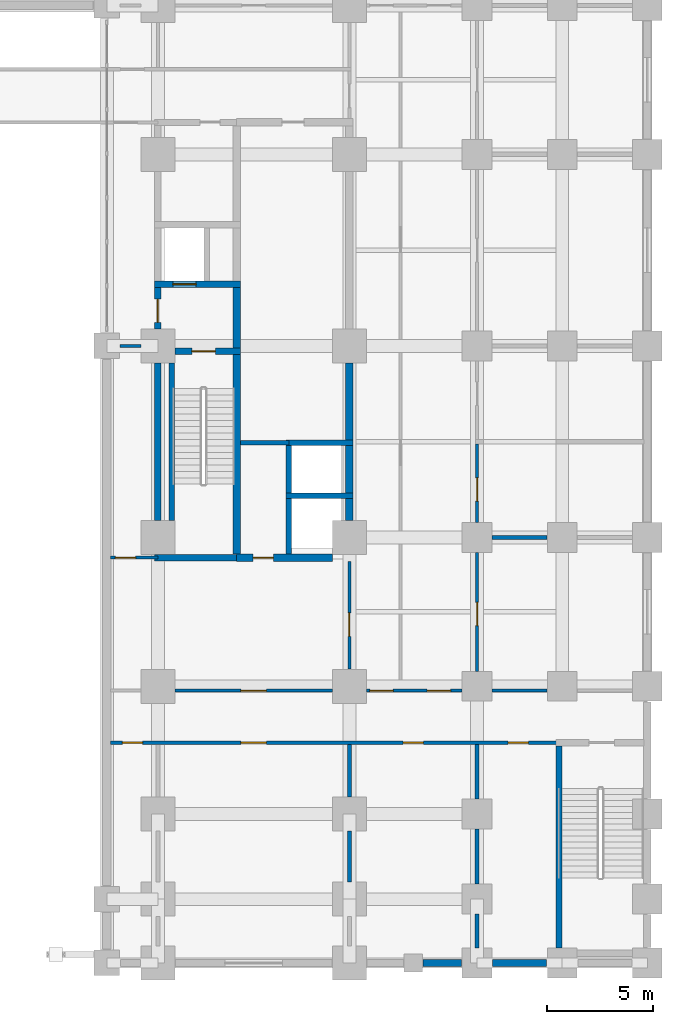
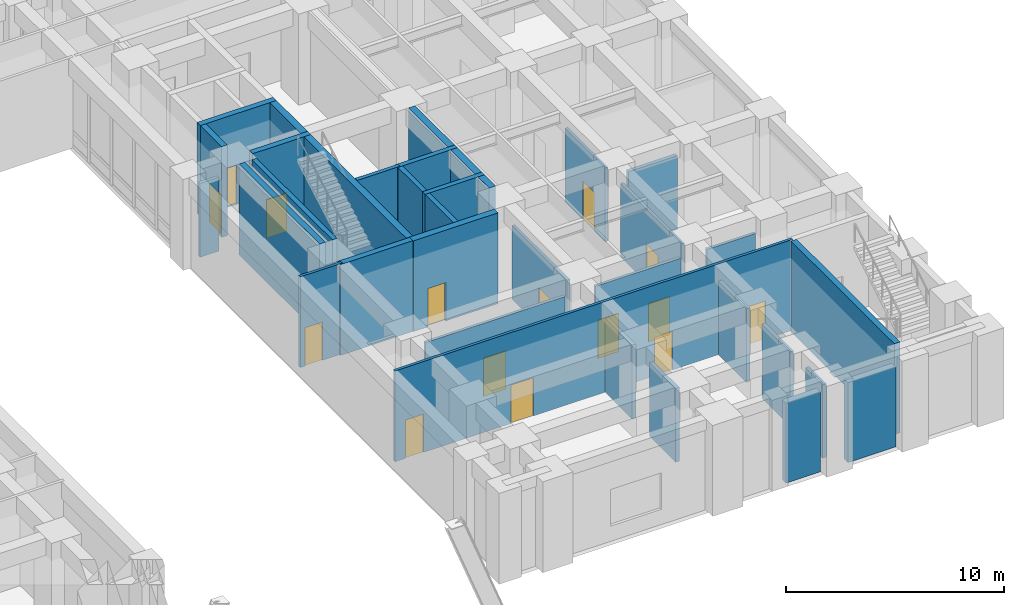
# One storey, part 12 of 23: 35 walls, 15 doors, 15 openings.
"""IFC4 building model written with IfcOpenShell, lengths in metres."""

from ifc_helpers import new_model, si_unit, direction, frame, frame_2d, origin, place, context, subcontext, project, spatial, rectangle, extrude, material, layer, layer_set, type_object, element, fill, save


model = new_model("IFC4")

# Units and contexts
model_context = context("Model", 3, precision=1e-05, world=origin(), true_north=direction((0.0, 1.0)))
body_context = subcontext(model_context, "Body", "Model", "MODEL_VIEW")
ifc_project = project(units=[si_unit("LENGTHUNIT", "METRE"), si_unit("AREAUNIT", "SQUARE_METRE"), si_unit("VOLUMEUNIT", "CUBIC_METRE"), si_unit("PLANEANGLEUNIT", "RADIAN"), si_unit("MASSUNIT", "GRAM", prefix="KILO")], contexts=[model_context])

# Site, building, storey
site_placement = place(None, origin())
site = spatial("IfcSite", under=ifc_project, at=site_placement, CompositionType="ELEMENT")
building_placement = place(site_placement, origin())
building = spatial("IfcBuilding", under=site, at=building_placement, Name="Zulmaris Gate Convention Tower", CompositionType="ELEMENT")
storey_placement = place(building_placement, frame((0.0, 0.0, 10.8798828125)))
storey = spatial("IfcBuildingStorey", under=building, at=storey_placement, Name="L02", CompositionType="ELEMENT", Elevation=10.8798828125)

# Walls
ifc_material_1 = material(Name="Concrete C50/60", Category="concrete")
ifc_layer_1 = layer(ifc_material_1, 0.25, Name="Concrete C50/60")
ifc_layer_set_1 = layer_set([ifc_layer_1], Name="Concrete C50/60")
wall_type_1 = type_object("IfcWallType", Name="CORE-250", PredefinedType="SOLIDWALL", material=ifc_layer_set_1)
for number, where, z_axis, x_axis, name in (
    (1, (17.02490234375, -7.050048828125, 0.0), (0.0, 0.0, 1.0), (1.0, 0.0, 0.0), "WL-L02-010"),
    (2, (17.02490234375, -4.550048828125, 0.0), (0.0, 0.0, 1.0), (1.0, 0.0, 0.0), "WL-L02-012"),
):
    element("IfcWall", number, at=place(storey_placement, frame(where, z_axis=z_axis, x_axis=x_axis)), inside=storey, type_object=wall_type_1, Name=name, PredefinedType="SOLIDWALL", context=body_context, shape_type="SweptSolid", body=[
        extrude(rectangle(XDim=3.150146484375, YDim=0.25, at=frame_2d((1.5751953125, 0.0))), origin(), (0.0, 0.0, 1.0), 5.09033203125),
    ])
wall_1_placement = place(storey_placement, frame((11.64990234375, -8.196044921875, 0.0), z_axis=(0.0, 0.0, 1.0), x_axis=(0.0, 1.0, 0.0)))
element("IfcWall", 3, at=wall_1_placement, inside=storey, type_object=wall_type_1, Name="WL-L02-095", PredefinedType="SOLIDWALL", context=body_context, shape_type="SweptSolid", body=[
    extrude(rectangle(XDim=7.39208984375, YDim=0.25, at=frame_2d((3.696044921875, 0.0))), origin(), (0.0, 0.0, 1.0), 5.09033203125),
])
wall_2_placement = place(storey_placement, frame((17.14990234375, -9.77294921875, 0.0), z_axis=(0.0, 0.0, 1.0), x_axis=(0.0, 1.0, 0.0)))
element("IfcWall", 4, at=wall_2_placement, inside=storey, type_object=wall_type_1, Name="WL-L02-101", PredefinedType="SOLIDWALL", context=body_context, shape_type="SweptSolid", body=[
    extrude(rectangle(XDim=2.595947265625, YDim=0.25, at=frame_2d((1.2978515625, 0.0))), origin(), (0.0, 0.0, 1.0), 5.09033203125),
])
wall_3_placement = place(storey_placement, frame((17.14990234375, -6.923095703125, 0.0), z_axis=(0.0, 0.0, 1.0), x_axis=(0.0, 1.0, 0.0)))
element("IfcWall", 5, at=wall_3_placement, inside=storey, type_object=wall_type_1, Name="WL-L02-102", PredefinedType="SOLIDWALL", context=body_context, shape_type="SweptSolid", body=[
    extrude(rectangle(XDim=2.24609375, YDim=0.25, at=frame_2d((1.123046875, 0.0))), origin(), (0.0, 0.0, 1.0), 5.09033203125),
])
ifc_layer_2 = layer(ifc_material_1, 0.300048828125, Name="Concrete C50/60")
ifc_layer_set_2 = layer_set([ifc_layer_2], Name="Concrete C50/60")
wall_type_2 = type_object("IfcWallType", Name="CORE-300", PredefinedType="SHEAR", material=ifc_layer_set_2)
wall_4_placement = place(storey_placement, frame((10.85009765625, -9.949951171875, 0.0), z_axis=(0.0, 0.0, 1.0), x_axis=(1.0, 0.0, 0.0)))
element("IfcWall", 6, at=wall_4_placement, inside=storey, type_object=wall_type_2, Name="WL-L02-007", PredefinedType="SHEAR", context=body_context, shape_type="SweptSolid", body=[
    extrude(rectangle(XDim=3.849853515625, YDim=0.300048828125, at=frame_2d((1.9248046875, 0.0))), origin(), (0.0, 0.0, 1.0), 5.09033203125),
])

# Wall, opening, door
wall_5_placement = place(storey_placement, frame((11.803955078125, -0.25, 0.0), z_axis=(0.0, 0.0, 1.0), x_axis=(1.0, 0.0, 0.0)))
wall_5 = element("IfcWall", 7, at=wall_5_placement, inside=storey, type_object=wall_type_2, Name="WL-L02-015", PredefinedType="SHEAR", context=body_context, shape_type="SweptSolid", body=[
    extrude(rectangle(XDim=3.071044921875, YDim=0.300048828125, at=frame_2d((1.53564453125, 0.0))), origin(), (0.0, 0.0, 1.0), 5.09033203125),
])
opening_1_placement = place(wall_5_placement, frame((0.7958984375, 0.0, 0.0)))
opening_1 = element("IfcOpeningElement", 8, at=opening_1_placement, cuts=wall_5, Name="Opening D-08", PredefinedType="OPENING", context=body_context, shape_type="SweptSolid", body=[
    extrude(rectangle(XDim=1.10009765625, YDim=2.14990234375, at=frame_2d((0.550048828125, 1.074951171875))), frame((0.0, 0.16015625, 0.0), z_axis=(0.0, -1.0, 0.0), x_axis=(1.0, 0.0, 0.0)), (0.0, 0.0, 1.0), 0.320068359375),
])
ifc_material_2 = material(Name="Fire-Rated Steel", Category="steel")
door_type_1 = type_object("IfcDoorType", Name="DR-1100-FD", OperationType="NOTDEFINED", PredefinedType="DOOR", material=ifc_material_2)
door_1_placement = place(opening_1_placement, origin())
door_1 = element("IfcDoor", 9, at=door_1_placement, inside=storey, type_object=door_type_1, Name="L02 Exit Stair ST-2 Door 04", OperationType="SINGLE_SWING_RIGHT", OverallHeight=2.14990234375, OverallWidth=1.10009765625, PredefinedType="DOOR", context=body_context, shape_type="SweptSolid", body=[
    extrude(rectangle(XDim=1.10009765625, YDim=2.14990234375, at=frame_2d((0.550048828125, 1.074951171875))), frame((0.0, 0.02490234375, 0.0), z_axis=(0.0, -1.0, 0.0), x_axis=(1.0, 0.0, 0.0)), (0.0, 0.0, 1.0), 0.050048828125),
])
fill(opening_1, door_1)

wall_6_placement = place(storey_placement, frame((10.85009765625, 2.89990234375, 0.0), z_axis=(0.0, 0.0, 1.0), x_axis=(1.0, 0.0, 0.0)))
wall_6 = element("IfcWall", 10, at=wall_6_placement, inside=storey, type_object=wall_type_2, Name="WL-L02-018", PredefinedType="SHEAR", context=body_context, shape_type="SweptSolid", body=[
    extrude(rectangle(XDim=4.02490234375, YDim=0.300048828125, at=frame_2d((2.012451171875, 0.0))), origin(), (0.0, 0.0, 1.0), 5.09033203125),
])
opening_2_placement = place(wall_6_placement, frame((0.85009765625, 0.0, 0.0)))
opening_2 = element("IfcOpeningElement", 11, at=opening_2_placement, cuts=wall_6, Name="Opening D-06", PredefinedType="OPENING", context=body_context, shape_type="SweptSolid", body=[
    extrude(rectangle(XDim=1.10009765625, YDim=2.199951171875, at=frame_2d((0.550048828125, 1.10009765625))), frame((0.0, 0.16015625, 0.0), z_axis=(0.0, -1.0, 0.0), x_axis=(1.0, 0.0, 0.0)), (0.0, 0.0, 1.0), 0.320068359375),
])
ifc_material_3 = material(Name="Brushed Stainless Steel", Category="steel")
door_type_2 = type_object("IfcDoorType", Name="LD-1100", OperationType="NOTDEFINED", PredefinedType="DOOR", material=ifc_material_3)
door_2_placement = place(opening_2_placement, origin())
door_2 = element("IfcDoor", 12, at=door_2_placement, inside=storey, type_object=door_type_2, Name="L02 Lift Landing Door LF-02 06", OperationType="SLIDING_TO_RIGHT", OverallHeight=2.199951171875, OverallWidth=1.10009765625, PredefinedType="DOOR", context=body_context, shape_type="SweptSolid", body=[
    extrude(rectangle(XDim=1.10009765625, YDim=2.199951171875, at=frame_2d((0.550048828125, 1.10009765625))), frame((0.0, 0.02490234375, 0.0), z_axis=(0.0, -1.0, 0.0), x_axis=(1.0, 0.0, 0.0)), (0.0, 0.0, 1.0), 0.050048828125),
])
fill(opening_2, door_2)

# Wall
wall_7_placement = place(storey_placement, frame((11.0, -8.196044921875, 0.0), z_axis=(0.0, 0.0, 1.0), x_axis=(0.0, 1.0, 0.0)))
element("IfcWall", 13, at=wall_7_placement, inside=storey, type_object=wall_type_2, Name="WL-L02-091", PredefinedType="SHEAR", context=body_context, shape_type="SweptSolid", body=[
    extrude(rectangle(XDim=7.39208984375, YDim=0.300048828125, at=frame_2d((3.696044921875, 0.0))), origin(), (0.0, 0.0, 1.0), 5.09033203125),
])

# Wall, opening, door
wall_8_placement = place(storey_placement, frame((11.0, 0.803955078125, 0.0), z_axis=(0.0, 0.0, 1.0), x_axis=(0.0, 1.0, 0.0)))
wall_8 = element("IfcWall", 14, at=wall_8_placement, inside=storey, type_object=wall_type_2, Name="WL-L02-092", PredefinedType="SHEAR", context=body_context, shape_type="SweptSolid", body=[
    extrude(rectangle(XDim=1.944091796875, YDim=0.300048828125, at=frame_2d((0.97216796875, 0.0))), origin(), (0.0, 0.0, 1.0), 5.09033203125),
])
opening_3_placement = place(wall_8_placement, frame((0.2958984375, 0.0, 0.0)))
opening_3 = element("IfcOpeningElement", 15, at=opening_3_placement, cuts=wall_8, Name="Opening D-08", PredefinedType="OPENING", context=body_context, shape_type="SweptSolid", body=[
    extrude(rectangle(XDim=1.10009765625, YDim=2.14990234375, at=frame_2d((0.550048828125, 1.074951171875))), frame((0.0, 0.16015625, 0.0), z_axis=(0.0, -1.0, 0.0), x_axis=(1.0, 0.0, 0.0)), (0.0, 0.0, 1.0), 0.320068359375),
])
door_3_placement = place(opening_3_placement, origin())
door_3 = element("IfcDoor", 16, at=door_3_placement, inside=storey, type_object=door_type_1, Name="L02 East Firefighting Lobby Door 05", OperationType="SINGLE_SWING_LEFT", OverallHeight=2.14990234375, OverallWidth=1.10009765625, PredefinedType="DOOR", context=body_context, shape_type="SweptSolid", body=[
    extrude(rectangle(XDim=1.10009765625, YDim=2.14990234375, at=frame_2d((0.550048828125, 1.074951171875))), frame((0.0, 0.02490234375, 0.0), z_axis=(0.0, -1.0, 0.0), x_axis=(1.0, 0.0, 0.0)), (0.0, 0.0, 1.0), 0.050048828125),
])
fill(opening_3, door_3)

# Wall
wall_9_placement = place(storey_placement, frame((29.85009765625, -28.2958984375, 0.0), z_axis=(0.0, 0.0, 1.0), x_axis=(0.0, 1.0, 0.0)))
element("IfcWall", 17, at=wall_9_placement, inside=storey, type_object=wall_type_2, Name="WL-L02-106", PredefinedType="SHEAR", context=body_context, shape_type="SweptSolid", body=[
    extrude(rectangle(XDim=9.493896484375, YDim=0.300048828125, at=frame_2d((4.7470703125, 0.0))), origin(), (0.0, 0.0, 1.0), 5.09033203125),
])

# Wall, opening, door
ifc_material_4 = material(Name="Concrete C55/67", Category="concrete")
ifc_layer_3 = layer(ifc_material_4, 0.35009765625, Name="Concrete C55/67")
ifc_layer_set_3 = layer_set([ifc_layer_3], Name="Concrete C55/67")
wall_type_3 = type_object("IfcWallType", Name="CORE-350", PredefinedType="SHEAR", material=ifc_layer_set_3)
wall_10_placement = place(storey_placement, frame((14.699951171875, -9.949951171875, 0.0), z_axis=(0.0, 0.0, 1.0), x_axis=(1.0, 0.0, 0.0)))
wall_10 = element("IfcWall", 18, at=wall_10_placement, inside=storey, type_object=wall_type_3, Name="WL-L02-008", PredefinedType="SHEAR", context=body_context, shape_type="SweptSolid", body=[
    extrude(rectangle(XDim=4.49609375, YDim=0.35009765625, at=frame_2d((2.248046875, 0.0))), origin(), (0.0, 0.0, 1.0), 5.09033203125),
])
opening_4_placement = place(wall_10_placement, frame((0.77490234375, 0.0, 0.0)))
opening_4 = element("IfcOpeningElement", 19, at=opening_4_placement, cuts=wall_10, Name="Opening D-11", PredefinedType="OPENING", context=body_context, shape_type="SweptSolid", body=[
    extrude(rectangle(XDim=0.949951171875, YDim=2.14990234375, at=frame_2d((0.47509765625, 1.074951171875))), frame((0.0, 0.18505859375, 0.0), z_axis=(0.0, -1.0, 0.0), x_axis=(1.0, 0.0, 0.0)), (0.0, 0.0, 1.0), 0.3701171875),
])
ifc_material_5 = material(Name="Fire-Rated Timber", Category="wood")
door_type_3 = type_object("IfcDoorType", Name="DR-950-FD", OperationType="NOTDEFINED", PredefinedType="DOOR", material=ifc_material_5)
door_4_placement = place(opening_4_placement, origin())
door_4 = element("IfcDoor", 20, at=door_4_placement, inside=storey, type_object=door_type_3, Name="L02 East Cleaners Store Door 15", OperationType="SINGLE_SWING_RIGHT", OverallHeight=2.14990234375, OverallWidth=0.949951171875, PredefinedType="DOOR", context=body_context, shape_type="SweptSolid", body=[
    extrude(rectangle(XDim=0.949951171875, YDim=2.14990234375, at=frame_2d((0.47509765625, 1.074951171875))), frame((0.0, 0.02490234375, 0.0), z_axis=(0.0, -1.0, 0.0), x_axis=(1.0, 0.0, 0.0)), (0.0, 0.0, 1.0), 0.050048828125),
])
fill(opening_4, door_4)

# Walls
wall_11_placement = place(storey_placement, frame((14.699951171875, -9.77294921875, 0.0), z_axis=(0.0, 0.0, 1.0), x_axis=(0.0, 1.0, 0.0)))
element("IfcWall", 21, at=wall_11_placement, inside=storey, type_object=wall_type_3, Name="WL-L02-097", PredefinedType="SHEAR", context=body_context, shape_type="SweptSolid", body=[
    extrude(rectangle(XDim=9.370849609375, YDim=0.35009765625, at=frame_2d((4.685546875, 0.0))), origin(), (0.0, 0.0, 1.0), 5.09033203125),
])
wall_12_placement = place(storey_placement, frame((14.699951171875, -0.097900390625, 0.0), z_axis=(0.0, 0.0, 1.0), x_axis=(0.0, 1.0, 0.0)))
element("IfcWall", 22, at=wall_12_placement, inside=storey, type_object=wall_type_3, Name="WL-L02-098", PredefinedType="SHEAR", context=body_context, shape_type="SweptSolid", body=[
    extrude(rectangle(XDim=2.845947265625, YDim=0.35009765625, at=frame_2d((1.4228515625, 0.0))), origin(), (0.0, 0.0, 1.0), 5.09033203125),
])
wall_13_placement = place(storey_placement, frame((20.0, -8.196044921875, 0.0), z_axis=(0.0, 0.0, 1.0), x_axis=(0.0, 1.0, 0.0)))
element("IfcWall", 23, at=wall_13_placement, inside=storey, type_object=wall_type_3, Name="WL-L02-103", PredefinedType="SHEAR", context=body_context, shape_type="SweptSolid", body=[
    extrude(rectangle(XDim=1.01904296875, YDim=0.35009765625, at=frame_2d((0.509521484375, 0.0))), origin(), (0.0, 0.0, 1.0), 5.09033203125),
])
wall_14_placement = place(storey_placement, frame((20.0, -6.923095703125, 0.0), z_axis=(0.0, 0.0, 1.0), x_axis=(0.0, 1.0, 0.0)))
element("IfcWall", 24, at=wall_14_placement, inside=storey, type_object=wall_type_3, Name="WL-L02-104", PredefinedType="SHEAR", context=body_context, shape_type="SweptSolid", body=[
    extrude(rectangle(XDim=2.24609375, YDim=0.35009765625, at=frame_2d((1.123046875, 0.0))), origin(), (0.0, 0.0, 1.0), 5.09033203125),
])
wall_15_placement = place(storey_placement, frame((20.0, -4.423095703125, 0.0), z_axis=(0.0, 0.0, 1.0), x_axis=(0.0, 1.0, 0.0)))
element("IfcWall", 25, at=wall_15_placement, inside=storey, type_object=wall_type_3, Name="WL-L02-105", PredefinedType="SHEAR", context=body_context, shape_type="SweptSolid", body=[
    extrude(rectangle(XDim=3.619140625, YDim=0.35009765625, at=frame_2d((1.8095703125, 0.0))), origin(), (0.0, 0.0, 1.0), 5.09033203125),
])

# Wall, openings, doors
ifc_material_6 = material(Name="Gypsum Metal Stud Partition")
ifc_layer_4 = layer(ifc_material_6, 0.14990234375, Name="Gypsum Metal Stud Partition")
ifc_layer_set_4 = layer_set([ifc_layer_4], Name="Gypsum Metal Stud Partition")
wall_type_4 = type_object("IfcWallType", Name="PART-150", PredefinedType="PARTITIONING", material=ifc_layer_set_4)
wall_16_placement = place(storey_placement, frame((8.764892578125, -18.64990234375, 0.0), z_axis=(0.0, 0.0, 1.0), x_axis=(1.0, 0.0, 0.0)))
wall_16 = element("IfcWall", 26, at=wall_16_placement, inside=storey, type_object=wall_type_4, Name="WL-L02-031", PredefinedType="PARTITIONING", context=body_context, shape_type="SweptSolid", body=[
    extrude(rectangle(XDim=21.085205078125, YDim=0.14990234375, at=frame_2d((10.54248046875, 0.0))), origin(), (0.0, 0.0, 1.0), 5.09033203125),
])
opening_5_placement = place(wall_16_placement, frame((0.56005859375, 0.0, 0.0)))
opening_5 = element("IfcOpeningElement", 27, at=opening_5_placement, cuts=wall_16, Name="Opening D-11", PredefinedType="OPENING", context=body_context, shape_type="SweptSolid", body=[
    extrude(rectangle(XDim=0.949951171875, YDim=2.14990234375, at=frame_2d((0.47509765625, 1.074951171875))), frame((0.0, 0.0849609375, 0.0), z_axis=(0.0, -1.0, 0.0), x_axis=(1.0, 0.0, 0.0)), (0.0, 0.0, 1.0), 0.169921875),
])
opening_6_placement = place(wall_16_placement, frame((6.135009765625, 0.0, 0.0)))
opening_6 = element("IfcOpeningElement", 28, at=opening_6_placement, cuts=wall_16, Name="Opening D-13", PredefinedType="OPENING", context=body_context, shape_type="SweptSolid", body=[
    extrude(rectangle(XDim=1.199951171875, YDim=2.14990234375, at=frame_2d((0.60009765625, 1.074951171875))), frame((0.0, 0.0849609375, 0.0), z_axis=(0.0, -1.0, 0.0), x_axis=(1.0, 0.0, 0.0)), (0.0, 0.0, 1.0), 0.169921875),
])
opening_7_placement = place(wall_16_placement, frame((13.760009765625, 0.0, 0.0)))
opening_7 = element("IfcOpeningElement", 29, at=opening_7_placement, cuts=wall_16, Name="Opening D-11", PredefinedType="OPENING", context=body_context, shape_type="SweptSolid", body=[
    extrude(rectangle(XDim=0.949951171875, YDim=2.14990234375, at=frame_2d((0.47509765625, 1.074951171875))), frame((0.0, 0.0849609375, 0.0), z_axis=(0.0, -1.0, 0.0), x_axis=(1.0, 0.0, 0.0)), (0.0, 0.0, 1.0), 0.169921875),
])
opening_8_placement = place(wall_16_placement, frame((18.68994140625, 0.0, 0.0)))
opening_8 = element("IfcOpeningElement", 30, at=opening_8_placement, cuts=wall_16, Name="Opening D-11", PredefinedType="OPENING", context=body_context, shape_type="SweptSolid", body=[
    extrude(rectangle(XDim=0.949951171875, YDim=2.14990234375, at=frame_2d((0.47509765625, 1.074951171875))), frame((0.0, 0.0849609375, 0.0), z_axis=(0.0, -1.0, 0.0), x_axis=(1.0, 0.0, 0.0)), (0.0, 0.0, 1.0), 0.169921875),
])
door_type_4 = type_object("IfcDoorType", Name="DR-1200-FD", OperationType="NOTDEFINED", PredefinedType="DOOR", material=ifc_material_2)
door_5_placement = place(opening_6_placement, origin())
door_5 = element("IfcDoor", 31, at=door_5_placement, inside=storey, type_object=door_type_4, Name="L02 South-East Convention Hall Door 81", OperationType="SINGLE_SWING_RIGHT", OverallHeight=2.14990234375, OverallWidth=1.199951171875, PredefinedType="DOOR", context=body_context, shape_type="SweptSolid", body=[
    extrude(rectangle(XDim=1.199951171875, YDim=2.14990234375, at=frame_2d((0.60009765625, 1.074951171875))), frame((0.0, 0.02490234375, 0.0), z_axis=(0.0, -1.0, 0.0), x_axis=(1.0, 0.0, 0.0)), (0.0, 0.0, 1.0), 0.050048828125),
])
fill(opening_6, door_5)
door_6_placement = place(opening_5_placement, origin())
door_6 = element("IfcDoor", 32, at=door_6_placement, inside=storey, type_object=door_type_3, Name="L02 South-East Chair Store Door 80", OperationType="SINGLE_SWING_LEFT", OverallHeight=2.14990234375, OverallWidth=0.949951171875, PredefinedType="DOOR", context=body_context, shape_type="SweptSolid", body=[
    extrude(rectangle(XDim=0.949951171875, YDim=2.14990234375, at=frame_2d((0.47509765625, 1.074951171875))), frame((0.0, 0.02490234375, 0.0), z_axis=(0.0, -1.0, 0.0), x_axis=(1.0, 0.0, 0.0)), (0.0, 0.0, 1.0), 0.050048828125),
])
fill(opening_5, door_6)
door_7_placement = place(opening_7_placement, origin())
door_7 = element("IfcDoor", 33, at=door_7_placement, inside=storey, type_object=door_type_3, Name="L02 South-East Seminar Room Door 82", OperationType="SINGLE_SWING_LEFT", OverallHeight=2.14990234375, OverallWidth=0.949951171875, PredefinedType="DOOR", context=body_context, shape_type="SweptSolid", body=[
    extrude(rectangle(XDim=0.949951171875, YDim=2.14990234375, at=frame_2d((0.47509765625, 1.074951171875))), frame((0.0, 0.02490234375, 0.0), z_axis=(0.0, -1.0, 0.0), x_axis=(1.0, 0.0, 0.0)), (0.0, 0.0, 1.0), 0.050048828125),
])
fill(opening_7, door_7)
door_8_placement = place(opening_8_placement, origin())
door_8 = element("IfcDoor", 34, at=door_8_placement, inside=storey, type_object=door_type_3, Name="L02 Interpreter Booth Office Door 83", OperationType="SINGLE_SWING_RIGHT", OverallHeight=2.14990234375, OverallWidth=0.949951171875, PredefinedType="DOOR", context=body_context, shape_type="SweptSolid", body=[
    extrude(rectangle(XDim=0.949951171875, YDim=2.14990234375, at=frame_2d((0.47509765625, 1.074951171875))), frame((0.0, 0.02490234375, 0.0), z_axis=(0.0, -1.0, 0.0), x_axis=(1.0, 0.0, 0.0)), (0.0, 0.0, 1.0), 0.050048828125),
])
fill(opening_8, door_8)

# Wall, opening, door
wall_17_placement = place(storey_placement, frame((11.805908203125, -16.199951171875, 0.0), z_axis=(0.0, 0.0, 1.0), x_axis=(1.0, 0.0, 0.0)))
wall_17 = element("IfcWall", 35, at=wall_17_placement, inside=storey, type_object=wall_type_4, Name="WL-L02-033S1", PredefinedType="PARTITIONING", context=body_context, shape_type="SweptSolid", body=[
    extrude(rectangle(XDim=7.38818359375, YDim=0.14990234375, at=frame_2d((3.694091796875, 0.0))), origin(), (0.0, 0.0, 1.0), 4.13232421875),
])
opening_9_placement = place(wall_17_placement, frame((3.093994140625, 0.0, 0.0)))
opening_9 = element("IfcOpeningElement", 36, at=opening_9_placement, cuts=wall_17, Name="Opening D-13", PredefinedType="OPENING", context=body_context, shape_type="SweptSolid", body=[
    extrude(rectangle(XDim=1.199951171875, YDim=2.14990234375, at=frame_2d((0.60009765625, 1.074951171875))), frame((0.0, 0.0849609375, 0.0), z_axis=(0.0, -1.0, 0.0), x_axis=(1.0, 0.0, 0.0)), (0.0, 0.0, 1.0), 0.169921875),
])
door_9_placement = place(opening_9_placement, origin())
door_9 = element("IfcDoor", 37, at=door_9_placement, inside=storey, type_object=door_type_4, Name="L02 SE Stair Link Door 43", OperationType="SINGLE_SWING_RIGHT", OverallHeight=2.14990234375, OverallWidth=1.199951171875, PredefinedType="DOOR", context=body_context, shape_type="SweptSolid", body=[
    extrude(rectangle(XDim=1.199951171875, YDim=2.14990234375, at=frame_2d((0.60009765625, 1.074951171875))), frame((0.0, 0.02490234375, 0.0), z_axis=(0.0, -1.0, 0.0), x_axis=(1.0, 0.0, 0.0)), (0.0, 0.0, 1.0), 0.050048828125),
])
fill(opening_9, door_9)

# Wall, openings, doors
wall_18_placement = place(storey_placement, frame((20.805908203125, -16.199951171875, 0.0), z_axis=(0.0, 0.0, 1.0), x_axis=(1.0, 0.0, 0.0)))
wall_18 = element("IfcWall", 38, at=wall_18_placement, inside=storey, type_object=wall_type_4, Name="WL-L02-033S2", PredefinedType="PARTITIONING", context=body_context, shape_type="SweptSolid", body=[
    extrude(rectangle(XDim=4.488037109375, YDim=0.14990234375, at=frame_2d((2.244140625, 0.0))), origin(), (0.0, 0.0, 1.0), 4.13232421875),
])
opening_10_placement = place(wall_18_placement, frame((0.14990234375, 0.0, 0.0)))
opening_10 = element("IfcOpeningElement", 39, at=opening_10_placement, cuts=wall_18, Name="Opening D-08", PredefinedType="OPENING", context=body_context, shape_type="SweptSolid", body=[
    extrude(rectangle(XDim=1.10009765625, YDim=2.14990234375, at=frame_2d((0.550048828125, 1.074951171875))), frame((0.0, 0.0849609375, 0.0), z_axis=(0.0, -1.0, 0.0), x_axis=(1.0, 0.0, 0.0)), (0.0, 0.0, 1.0), 0.169921875),
])
opening_11_placement = place(wall_18_placement, frame((2.843994140625, 0.0, 0.0)))
opening_11 = element("IfcOpeningElement", 40, at=opening_11_placement, cuts=wall_18, Name="Opening D-08", PredefinedType="OPENING", context=body_context, shape_type="SweptSolid", body=[
    extrude(rectangle(XDim=1.10009765625, YDim=2.14990234375, at=frame_2d((0.550048828125, 1.074951171875))), frame((0.0, 0.0849609375, 0.0), z_axis=(0.0, -1.0, 0.0), x_axis=(1.0, 0.0, 0.0)), (0.0, 0.0, 1.0), 0.169921875),
])
door_10_placement = place(opening_10_placement, origin())
door_10 = element("IfcDoor", 41, at=door_10_placement, inside=storey, type_object=door_type_1, Name="L02 East Exit South Door 44", OperationType="SINGLE_SWING_LEFT", OverallHeight=2.14990234375, OverallWidth=1.10009765625, PredefinedType="DOOR", context=body_context, shape_type="SweptSolid", body=[
    extrude(rectangle(XDim=1.10009765625, YDim=2.14990234375, at=frame_2d((0.550048828125, 1.074951171875))), frame((0.0, 0.02490234375, 0.0), z_axis=(0.0, -1.0, 0.0), x_axis=(1.0, 0.0, 0.0)), (0.0, 0.0, 1.0), 0.050048828125),
])
fill(opening_10, door_10)
door_11_placement = place(opening_11_placement, origin())
door_11 = element("IfcDoor", 42, at=door_11_placement, inside=storey, type_object=door_type_1, Name="L02 East Promenade Stair Door 69", OperationType="SINGLE_SWING_RIGHT", OverallHeight=2.14990234375, OverallWidth=1.10009765625, PredefinedType="DOOR", context=body_context, shape_type="SweptSolid", body=[
    extrude(rectangle(XDim=1.10009765625, YDim=2.14990234375, at=frame_2d((0.550048828125, 1.074951171875))), frame((0.0, 0.02490234375, 0.0), z_axis=(0.0, -1.0, 0.0), x_axis=(1.0, 0.0, 0.0)), (0.0, 0.0, 1.0), 0.050048828125),
])
fill(opening_11, door_11)

# Wall
wall_19_placement = place(storey_placement, frame((26.7060546875, -16.199951171875, 0.0), z_axis=(0.0, 0.0, 1.0), x_axis=(1.0, 0.0, 0.0)))
element("IfcWall", 43, at=wall_19_placement, inside=storey, type_object=wall_type_4, Name="WL-L02-033S3", PredefinedType="PARTITIONING", context=body_context, shape_type="SweptSolid", body=[
    extrude(rectangle(XDim=2.587890625, YDim=0.14990234375, at=frame_2d((1.2939453125, 0.0))), origin(), (0.0, 0.0, 1.0), 4.13232421875),
])

# Wall, opening, door
wall_20_placement = place(storey_placement, frame((8.764892578125, -9.949951171875, 0.0), z_axis=(0.0, 0.0, 1.0), x_axis=(1.0, 0.0, 0.0)))
wall_20 = element("IfcWall", 44, at=wall_20_placement, inside=storey, type_object=wall_type_4, Name="WL-L02-036", PredefinedType="PARTITIONING", context=body_context, shape_type="SweptSolid", body=[
    extrude(rectangle(XDim=2.235107421875, YDim=0.14990234375, at=frame_2d((1.11767578125, 0.0))), origin(), (0.0, 0.0, 1.0), 5.09033203125),
])
opening_12_placement = place(wall_20_placement, frame((0.239990234375, 0.0, 0.0)))
opening_12 = element("IfcOpeningElement", 45, at=opening_12_placement, cuts=wall_20, Name="Opening D-11", PredefinedType="OPENING", context=body_context, shape_type="SweptSolid", body=[
    extrude(rectangle(XDim=0.949951171875, YDim=2.14990234375, at=frame_2d((0.47509765625, 1.074951171875))), frame((0.0, 0.0849609375, 0.0), z_axis=(0.0, -1.0, 0.0), x_axis=(1.0, 0.0, 0.0)), (0.0, 0.0, 1.0), 0.169921875),
])
door_12_placement = place(opening_12_placement, origin())
door_12 = element("IfcDoor", 46, at=door_12_placement, inside=storey, type_object=door_type_3, Name="L02 SE Arch Store Door 24", OperationType="SINGLE_SWING_LEFT", OverallHeight=2.14990234375, OverallWidth=0.949951171875, PredefinedType="DOOR", context=body_context, shape_type="SweptSolid", body=[
    extrude(rectangle(XDim=0.949951171875, YDim=2.14990234375, at=frame_2d((0.47509765625, 1.074951171875))), frame((0.0, 0.02490234375, 0.0), z_axis=(0.0, -1.0, 0.0), x_axis=(1.0, 0.0, 0.0)), (0.0, 0.0, 1.0), 0.050048828125),
])
fill(opening_12, door_12)

# Wall
wall_21_placement = place(storey_placement, frame((9.2060546875, 0.0, 0.0), z_axis=(0.0, 0.0, 1.0), x_axis=(1.0, 0.0, 0.0)))
element("IfcWall", 47, at=wall_21_placement, inside=storey, type_object=wall_type_4, Name="WL-L02-044", PredefinedType="PARTITIONING", context=body_context, shape_type="SweptSolid", body=[
    extrude(rectangle(XDim=0.988037109375, YDim=0.14990234375, at=frame_2d((0.494140625, 0.0))), origin(), (0.0, 0.0, 1.0), 4.13232421875),
])

# Wall, opening, door
wall_22_placement = place(storey_placement, frame((20.0, -15.194091796875, 0.0), z_axis=(0.0, 0.0, 1.0), x_axis=(0.0, 1.0, 0.0)))
wall_22 = element("IfcWall", 48, at=wall_22_placement, inside=storey, type_object=wall_type_4, Name="WL-L02-141", PredefinedType="PARTITIONING", context=body_context, shape_type="SweptSolid", body=[
    extrude(rectangle(XDim=5.066162109375, YDim=0.14990234375, at=frame_2d((2.533203125, 0.0))), origin(), (0.0, 0.0, 1.0), 4.13232421875),
])
opening_13_placement = place(wall_22_placement, frame((1.5439453125, 0.0, 0.0)))
opening_13 = element("IfcOpeningElement", 49, at=opening_13_placement, cuts=wall_22, Name="Opening D-08", PredefinedType="OPENING", context=body_context, shape_type="SweptSolid", body=[
    extrude(rectangle(XDim=1.10009765625, YDim=2.14990234375, at=frame_2d((0.550048828125, 1.074951171875))), frame((0.0, 0.0849609375, 0.0), z_axis=(0.0, -1.0, 0.0), x_axis=(1.0, 0.0, 0.0)), (0.0, 0.0, 1.0), 0.169921875),
])
door_13_placement = place(opening_13_placement, origin())
door_13 = element("IfcDoor", 50, at=door_13_placement, inside=storey, type_object=door_type_1, Name="L02 SE Passage Link Door 42", OperationType="SINGLE_SWING_LEFT", OverallHeight=2.14990234375, OverallWidth=1.10009765625, PredefinedType="DOOR", context=body_context, shape_type="SweptSolid", body=[
    extrude(rectangle(XDim=1.10009765625, YDim=2.14990234375, at=frame_2d((0.550048828125, 1.074951171875))), frame((0.0, 0.02490234375, 0.0), z_axis=(0.0, -1.0, 0.0), x_axis=(1.0, 0.0, 0.0)), (0.0, 0.0, 1.0), 0.050048828125),
])
fill(opening_13, door_13)

wall_23_placement = place(storey_placement, frame((26.0, -15.2939453125, 0.0), z_axis=(0.0, 0.0, 1.0), x_axis=(0.0, 1.0, 0.0)))
wall_23 = element("IfcWall", 51, at=wall_23_placement, inside=storey, type_object=wall_type_4, Name="WL-L02-149", PredefinedType="PARTITIONING", context=body_context, shape_type="SweptSolid", body=[
    extrude(rectangle(XDim=5.587890625, YDim=0.14990234375, at=frame_2d((2.7939453125, 0.0))), origin(), (0.0, 0.0, 1.0), 4.13232421875),
])
opening_14_placement = place(wall_23_placement, frame((2.14404296875, 0.0, 0.0)))
opening_14 = element("IfcOpeningElement", 52, at=opening_14_placement, cuts=wall_23, Name="Opening D-08", PredefinedType="OPENING", context=body_context, shape_type="SweptSolid", body=[
    extrude(rectangle(XDim=1.10009765625, YDim=2.14990234375, at=frame_2d((0.550048828125, 1.074951171875))), frame((0.0, 0.0849609375, 0.0), z_axis=(0.0, -1.0, 0.0), x_axis=(1.0, 0.0, 0.0)), (0.0, 0.0, 1.0), 0.169921875),
])
door_14_placement = place(opening_14_placement, origin())
door_14 = element("IfcDoor", 53, at=door_14_placement, inside=storey, type_object=door_type_1, Name="L02 East Room E1 Door 70", OperationType="SINGLE_SWING_LEFT", OverallHeight=2.14990234375, OverallWidth=1.10009765625, PredefinedType="DOOR", context=body_context, shape_type="SweptSolid", body=[
    extrude(rectangle(XDim=1.10009765625, YDim=2.14990234375, at=frame_2d((0.550048828125, 1.074951171875))), frame((0.0, 0.02490234375, 0.0), z_axis=(0.0, -1.0, 0.0), x_axis=(1.0, 0.0, 0.0)), (0.0, 0.0, 1.0), 0.050048828125),
])
fill(opening_14, door_14)

wall_24_placement = place(storey_placement, frame((26.0, -8.2939453125, 0.0), z_axis=(0.0, 0.0, 1.0), x_axis=(0.0, 1.0, 0.0)))
wall_24 = element("IfcWall", 54, at=wall_24_placement, inside=storey, type_object=wall_type_4, Name="WL-L02-150", PredefinedType="PARTITIONING", context=body_context, shape_type="SweptSolid", body=[
    extrude(rectangle(XDim=3.69091796875, YDim=0.14990234375, at=frame_2d((1.845458984375, 0.0))), origin(), (0.0, 0.0, 1.0), 4.13232421875),
])
opening_15_placement = place(wall_24_placement, frame((0.993896484375, 0.0, 0.0)))
opening_15 = element("IfcOpeningElement", 55, at=opening_15_placement, cuts=wall_24, Name="Opening D-08", PredefinedType="OPENING", context=body_context, shape_type="SweptSolid", body=[
    extrude(rectangle(XDim=1.10009765625, YDim=2.14990234375, at=frame_2d((0.550048828125, 1.074951171875))), frame((0.0, 0.0849609375, 0.0), z_axis=(0.0, -1.0, 0.0), x_axis=(1.0, 0.0, 0.0)), (0.0, 0.0, 1.0), 0.169921875),
])
door_15_placement = place(opening_15_placement, origin())
door_15 = element("IfcDoor", 56, at=door_15_placement, inside=storey, type_object=door_type_1, Name="L02 East Room E2 Door 71", OperationType="SINGLE_SWING_RIGHT", OverallHeight=2.14990234375, OverallWidth=1.10009765625, PredefinedType="DOOR", context=body_context, shape_type="SweptSolid", body=[
    extrude(rectangle(XDim=1.10009765625, YDim=2.14990234375, at=frame_2d((0.550048828125, 1.074951171875))), frame((0.0, 0.02490234375, 0.0), z_axis=(0.0, -1.0, 0.0), x_axis=(1.0, 0.0, 0.0)), (0.0, 0.0, 1.0), 0.050048828125),
])
fill(opening_15, door_15)

# Walls
ifc_material_7 = material(Name="Autoclaved Aerated Concrete Block and Plasterboard", Category="concrete")
ifc_layer_5 = layer(ifc_material_7, 0.199951171875, Name="Autoclaved Aerated Concrete Block and Plasterboard")
ifc_layer_set_5 = layer_set([ifc_layer_5], Name="Autoclaved Aerated Concrete Block and Plasterboard")
wall_type_5 = type_object("IfcWallType", Name="PART-200", PredefinedType="PARTITIONING", material=ifc_layer_set_5)
wall_25_placement = place(storey_placement, frame((26.7060546875, -9.0, 0.0), z_axis=(0.0, 0.0, 1.0), x_axis=(1.0, 0.0, 0.0)))
element("IfcWall", 57, at=wall_25_placement, inside=storey, type_object=wall_type_5, Name="WL-L02-038", PredefinedType="PARTITIONING", context=body_context, shape_type="SweptSolid", body=[
    extrude(rectangle(XDim=2.587890625, YDim=0.199951171875, at=frame_2d((1.2939453125, 0.0))), origin(), (0.0, 0.0, 1.0), 4.13232421875),
])
wall_26_placement = place(storey_placement, frame((14.8779296875, -4.550048828125, 0.0), z_axis=(0.0, 0.0, 1.0), x_axis=(1.0, 0.0, 0.0)))
element("IfcWall", 58, at=wall_26_placement, inside=storey, type_object=wall_type_5, Name="WL-L02-039", PredefinedType="PARTITIONING", context=body_context, shape_type="SweptSolid", body=[
    extrude(rectangle(XDim=2.27197265625, YDim=0.199951171875, at=frame_2d((1.135986328125, 0.0))), origin(), (0.0, 0.0, 1.0), 5.09033203125),
])
wall_27_placement = place(storey_placement, frame((20.0, -25.194091796875, 0.0), z_axis=(0.0, 0.0, 1.0), x_axis=(0.0, 1.0, 0.0)))
element("IfcWall", 59, at=wall_27_placement, inside=storey, type_object=wall_type_5, Name="WL-L02-140S1", PredefinedType="PARTITIONING", context=body_context, shape_type="SweptSolid", body=[
    extrude(rectangle(XDim=2.38818359375, YDim=0.199951171875, at=frame_2d((1.194091796875, 0.0))), origin(), (0.0, 0.0, 1.0), 4.13232421875),
])
wall_28_placement = place(storey_placement, frame((20.0, -21.194091796875, 0.0), z_axis=(0.0, 0.0, 1.0), x_axis=(0.0, 1.0, 0.0)))
element("IfcWall", 60, at=wall_28_placement, inside=storey, type_object=wall_type_5, Name="WL-L02-140S2", PredefinedType="PARTITIONING", context=body_context, shape_type="SweptSolid", body=[
    extrude(rectangle(XDim=2.466064453125, YDim=0.199951171875, at=frame_2d((1.23291015625, 0.0))), origin(), (0.0, 0.0, 1.0), 4.13232421875),
])
wall_29_placement = place(storey_placement, frame((26.0, -28.2939453125, 0.0), z_axis=(0.0, 0.0, 1.0), x_axis=(0.0, 1.0, 0.0)))
element("IfcWall", 61, at=wall_29_placement, inside=storey, type_object=wall_type_5, Name="WL-L02-148", PredefinedType="PARTITIONING", context=body_context, shape_type="SweptSolid", body=[
    extrude(rectangle(XDim=1.587890625, YDim=0.199951171875, at=frame_2d((0.7939453125, 0.0))), origin(), (0.0, 0.0, 1.0), 4.13232421875),
])
wall_30_placement = place(storey_placement, frame((26.0, -25.2939453125, 0.0), z_axis=(0.0, 0.0, 1.0), x_axis=(0.0, 1.0, 0.0)))
element("IfcWall", 62, at=wall_30_placement, inside=storey, type_object=wall_type_5, Name="WL-L02-148S1", PredefinedType="PARTITIONING", context=body_context, shape_type="SweptSolid", body=[
    extrude(rectangle(XDim=2.587890625, YDim=0.199951171875, at=frame_2d((1.2939453125, 0.0))), origin(), (0.0, 0.0, 1.0), 4.13232421875),
])
wall_31_placement = place(storey_placement, frame((26.0, -21.2939453125, 0.0), z_axis=(0.0, 0.0, 1.0), x_axis=(0.0, 1.0, 0.0)))
element("IfcWall", 63, at=wall_31_placement, inside=storey, type_object=wall_type_5, Name="WL-L02-148S2", PredefinedType="PARTITIONING", context=body_context, shape_type="SweptSolid", body=[
    extrude(rectangle(XDim=2.56591796875, YDim=0.199951171875, at=frame_2d((1.282958984375, 0.0))), origin(), (0.0, 0.0, 1.0), 4.13232421875),
])
ifc_material_8 = material(Name="Precast concrete C45/55", Category="concrete")
ifc_layer_6 = layer(ifc_material_8, 0.35009765625, Name="Precast concrete C45/55")
ifc_layer_set_6 = layer_set([ifc_layer_6], Name="Precast concrete C45/55")
wall_type_6 = type_object("IfcWallType", Name="PRECAST-POD-350", PredefinedType="STANDARD", material=ifc_layer_set_6)
wall_32_placement = place(storey_placement, frame((23.455078125, -29.0, 0.0), z_axis=(0.0, 0.0, 1.0), x_axis=(1.0, 0.0, 0.0)))
element("IfcWall", 64, at=wall_32_placement, inside=storey, type_object=wall_type_6, Name="EW-L02-S-230_0", PredefinedType="STANDARD", context=body_context, shape_type="SweptSolid", body=[
    extrude(rectangle(XDim=1.81494140625, YDim=0.35009765625, at=frame_2d((0.907470703125, 0.0))), origin(), (0.0, 0.0, 1.0), 4.482177734375),
])
wall_33_placement = place(storey_placement, frame((26.72998046875, -29.0, 0.0), z_axis=(0.0, 0.0, 1.0), x_axis=(1.0, 0.0, 0.0)))
element("IfcWall", 65, at=wall_33_placement, inside=storey, type_object=wall_type_6, Name="EW-L02-S-260_0", PredefinedType="STANDARD", context=body_context, shape_type="SweptSolid", body=[
    extrude(rectangle(XDim=2.5400390625, YDim=0.35009765625, at=frame_2d((1.27001953125, 0.0))), origin(), (0.0, 0.0, 1.0), 4.482177734375),
])

save(model, "model.ifc")
